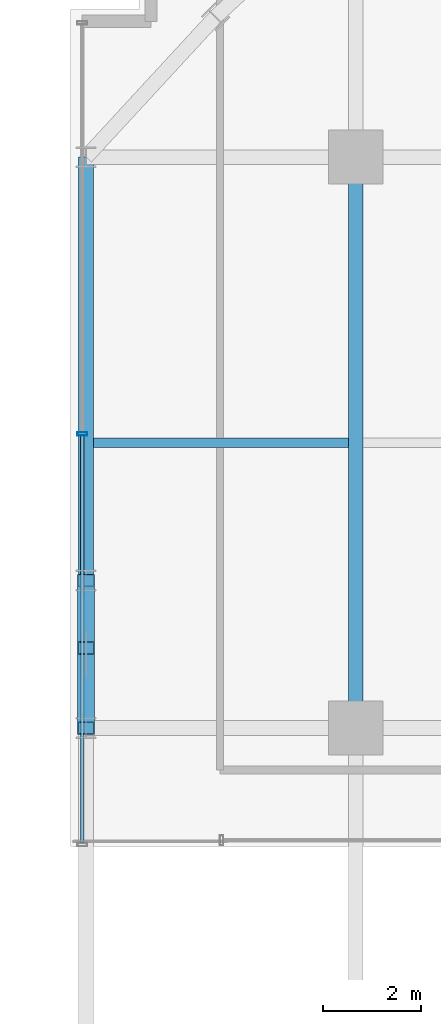
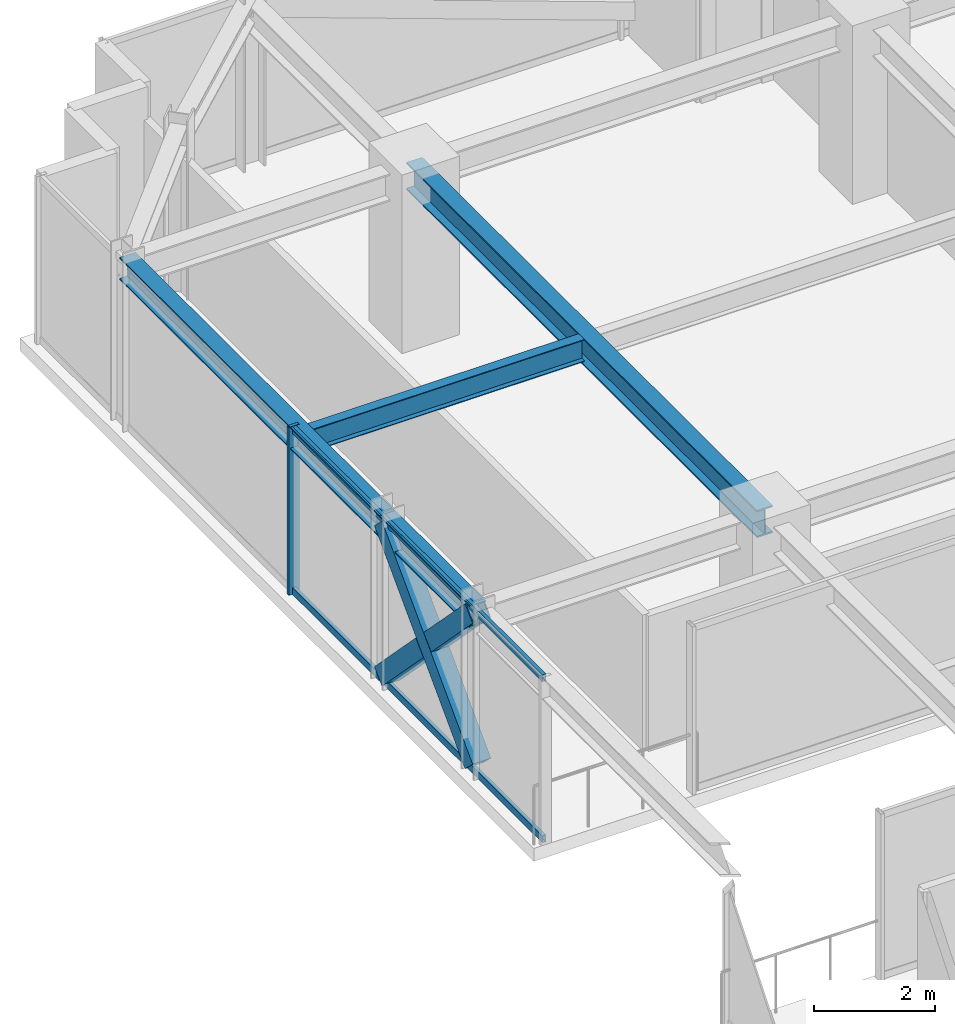
# One storey, part 19 of 35: 6 members, 4 beams, 1 element without a shape of its own.
"""IFC4 building model written with IfcOpenShell, lengths in metres."""

from ifc_helpers import new_model, si_unit, direction, frame, origin, origin_2d, place, context, subcontext, project, spatial, hollow_rectangle, i_section, extrude, source, transform, mapped, material, material_profile, profile_set, type_object, element, aggregate, save


model = new_model("IFC4")

# Units and contexts
model_context = context("Model", 3, precision=1e-05, world=origin(), true_north=direction((0.0, 1.0)))
body_context = subcontext(model_context, "Body", "Model", "MODEL_VIEW")
ifc_project = project(units=[si_unit("LENGTHUNIT", "METRE"), si_unit("AREAUNIT", "SQUARE_METRE"), si_unit("VOLUMEUNIT", "CUBIC_METRE"), si_unit("PLANEANGLEUNIT", "RADIAN"), si_unit("MASSUNIT", "GRAM", prefix="KILO")], contexts=[model_context])

# Site, building, storey
site_placement = place(None, origin())
site = spatial("IfcSite", under=ifc_project, at=site_placement, CompositionType="ELEMENT")
building_placement = place(site_placement, origin())
building = spatial("IfcBuilding", under=site, at=building_placement, Name="Nahalor Promenade Grand Hotel", CompositionType="ELEMENT")
storey_placement = place(building_placement, frame((0.0, 0.0, 185.5)))
storey = spatial("IfcBuildingStorey", under=building, at=storey_placement, Name="L47", CompositionType="ELEMENT", Elevation=185.5)

# Beams
ifc_material_1 = material(Name="Steel S355JR", Category="steel")
ifc_material_profile_1 = material_profile(ifc_material_1, i_section(OverallWidth=0.3, OverallDepth=0.55, WebThickness=0.015, FlangeThickness=0.029, at=origin_2d()), Name="HEB 550")
ifc_profile_set_1 = profile_set([ifc_material_profile_1], Name="Steel S355JR")
beam_type_1 = type_object("IfcBeamType", Name="Beam-Girder-HEB550", PredefinedType="BEAM", material=ifc_profile_set_1)
shared_shape_1 = source(origin(), body_context, "Body", "SweptSolid", [
    extrude(i_section(OverallWidth=0.3, OverallDepth=0.55, WebThickness=0.015, FlangeThickness=0.029, at=origin_2d()), origin(), (0.0, 0.0, 1.0), 11.60009765625),
])
beam_1_placement = place(storey_placement, frame((-17.0, 5.39990234375, 3.114990234375), z_axis=(0.0, 1.0, 0.0), x_axis=(-1.0, 0.0, 0.0)))
element("IfcBeam", 1, at=beam_1_placement, inside=storey, type_object=beam_type_1, Name="BM-L47-GY-0-3", PredefinedType="BEAM", context=body_context, shape_type="MappedRepresentation", body=[
    mapped(shared_shape_1, transform((0.0, 0.0, 0.0), scale=1.0)),
])
ifc_material_profile_2 = material_profile(ifc_material_1, i_section(OverallWidth=0.19, OverallDepth=0.45, WebThickness=0.0094, FlangeThickness=0.0146, at=origin_2d()), Name="IPE 450")
ifc_profile_set_2 = profile_set([ifc_material_profile_2], Name="Steel S355JR")
beam_type_2 = type_object("IfcBeamType", Name="Beam-Joist-IPE450", PredefinedType="JOIST", material=ifc_profile_set_2)
shared_shape_2 = source(origin(), body_context, "Body", "SweptSolid", [
    extrude(i_section(OverallWidth=0.19, OverallDepth=0.45, WebThickness=0.0094, FlangeThickness=0.0146, at=origin_2d()), origin(), (0.0, 0.0, 1.0), 5.18017578125),
])
beam_2_placement = place(storey_placement, frame((-22.330078125, 11.199951171875, 3.1650390625), z_axis=(1.0, 0.0, 0.0), x_axis=(0.0, 1.0, 0.0)))
element("IfcBeam", 2, at=beam_2_placement, inside=storey, type_object=beam_type_2, Name="BM-L47-JSW-1-0", PredefinedType="JOIST", context=body_context, shape_type="MappedRepresentation", body=[
    mapped(shared_shape_2, transform((0.0, 0.0, 0.0), scale=1.0)),
])
ifc_material_profile_3 = material_profile(ifc_material_1, i_section(OverallWidth=0.3, OverallDepth=0.45, WebThickness=0.014, FlangeThickness=0.026, at=origin_2d()), Name="HEB 450")
ifc_profile_set_3 = profile_set([ifc_material_profile_3], Name="Steel S355JR")
beam_type_3 = type_object("IfcBeamType", Name="Beam-Spandrel-HEB450", PredefinedType="SPANDREL", material=ifc_profile_set_3)
shared_shape_3 = source(origin(), body_context, "Body", "SweptSolid", [
    extrude(i_section(OverallWidth=0.3, OverallDepth=0.45, WebThickness=0.014, FlangeThickness=0.026, at=origin_2d()), origin(), (0.0, 0.0, 1.0), 8.60009765625),
])
beam_3_placement = place(storey_placement, frame((-22.47998046875, 8.39990234375, 3.1650390625), z_axis=(0.0, 1.0, 0.0), x_axis=(-1.0, 0.0, 0.0)))
element("IfcBeam", 3, at=beam_3_placement, inside=storey, type_object=beam_type_3, Name="BM-L47-SP-W-4", PredefinedType="SPANDREL", context=body_context, shape_type="MappedRepresentation", body=[
    mapped(shared_shape_3, transform((0.0, 0.0, 0.0), scale=1.0)),
])
shared_shape_4 = source(origin(), body_context, "Body", "SweptSolid", [
    extrude(i_section(OverallWidth=0.3, OverallDepth=0.45, WebThickness=0.014, FlangeThickness=0.026, at=origin_2d()), origin(), (0.0, 0.0, 1.0), 3.0),
])
beam_4_placement = place(storey_placement, frame((-22.47998046875, 5.39990234375, 3.1650390625), z_axis=(0.0, 1.0, 0.0), x_axis=(-1.0, 0.0, 0.0)))
element("IfcBeam", 4, at=beam_4_placement, inside=storey, type_object=beam_type_3, Name="BM-L47-SP-W-3", PredefinedType="SPANDREL", context=body_context, shape_type="MappedRepresentation", body=[
    mapped(shared_shape_4, transform((0.0, 0.0, 0.0), scale=1.0)),
])

# Members
ifc_material_profile_4 = material_profile(ifc_material_1, hollow_rectangle(XDim=0.35, YDim=0.35, WallThickness=0.02, at=origin_2d()), Name="SHS 350x350x20")
ifc_profile_set_4 = profile_set([ifc_material_profile_4], Name="Steel S355JR")
member_type_1 = type_object("IfcMemberType", Name="Mem-VoidBrace-SHS350", PredefinedType="BRACE", material=ifc_profile_set_4)
shared_shape_5 = source(origin(), body_context, "Body", "SweptSolid", [
    extrude(hollow_rectangle(XDim=0.35, YDim=0.35, WallThickness=0.02, at=origin_2d()), origin(), (0.0, 0.0, 1.0), 1.96630859375),
])
member_1_placement = place(storey_placement, frame((-22.47998046875, 8.39990234375, 0.14990234375), z_axis=(0.0, -0.696537426897, 0.717520461682), x_axis=(1.0, 0.0, 0.0)))
element("IfcMember", 5, at=member_1_placement, inside=storey, type_object=member_type_1, Name="EXO-L47-VX2-W1A", PredefinedType="BRACE", context=body_context, shape_type="MappedRepresentation", body=[
    mapped(shared_shape_5, transform((0.0, 0.0, 0.0), scale=1.0)),
])
shared_shape_6 = source(origin(), body_context, "Body", "SweptSolid", [
    extrude(hollow_rectangle(XDim=0.35, YDim=0.35, WallThickness=0.02, at=origin_2d()), origin(), (0.0, 0.0, 1.0), 4.306884765625),
])
member_2_placement = place(storey_placement, frame((-22.47998046875, 5.39990234375, 0.14990234375), z_axis=(0.0, 0.696570665899, 0.717488193219), x_axis=(-1.0, 0.0, 0.0)))
element("IfcMember", 6, at=member_2_placement, inside=storey, type_object=member_type_1, Name="EXO-L47-VX1-W1", PredefinedType="BRACE", context=body_context, shape_type="MappedRepresentation", body=[
    mapped(shared_shape_6, transform((0.0, 0.0, 0.0), scale=1.0)),
])
shared_shape_7 = source(origin(), body_context, "Body", "SweptSolid", [
    extrude(hollow_rectangle(XDim=0.35, YDim=0.35, WallThickness=0.02, at=origin_2d()), origin(), (0.0, 0.0, 1.0), 1.966552734375),
])
member_3_placement = place(storey_placement, frame((-22.47998046875, 6.769775390625, 1.8291015625), z_axis=(0.0, -0.696601340579, 0.71745841155), x_axis=(1.0, 0.0, 0.0)))
element("IfcMember", 7, at=member_3_placement, inside=storey, type_object=member_type_1, Name="EXO-L47-VX2-W1B", PredefinedType="BRACE", context=body_context, shape_type="MappedRepresentation", body=[
    mapped(shared_shape_7, transform((0.0, 0.0, 0.0), scale=1.0)),
])

# Curtain wall, members
ifc_material_2 = material(Name="Anodised Bronze Aluminium EN AW-6063 T6", Category="aluminium")
curtain_wall_type = type_object("IfcCurtainWallType", Name="CW3 Elliptical-Void Collar Unitised Curtain Wall", PredefinedType="USERDEFINED", material=ifc_material_2)
curtain_wall_placement = place(storey_placement, origin())
curtain_wall = element("IfcCurtainWall", 8, at=curtain_wall_placement, inside=storey, type_object=curtain_wall_type, Name="L47 Curtain Wall CW-L47-W-4", ObjectType="UNITISED_CURTAIN_WALL", PredefinedType="USERDEFINED")
ifc_material_profile_5 = material_profile(ifc_material_2, hollow_rectangle(XDim=0.07, YDim=0.14, WallThickness=0.004, at=origin_2d()), Name="CWT 70x140x4")
ifc_profile_set_5 = profile_set([ifc_material_profile_5], Name="Anodised Bronze Aluminium EN AW-6063 T6")
member_type_2 = type_object("IfcMemberType", Name="CWT3 Void Collar Transom 70x140", PredefinedType="USERDEFINED", material=ifc_profile_set_5)
shared_shape_8 = source(origin(), body_context, "Body", "SweptSolid", [
    extrude(hollow_rectangle(XDim=0.07, YDim=0.14, WallThickness=0.004, at=origin_2d()), origin(), (0.0, 0.0, 1.0), 8.275390625),
])
member_4_placement = place(storey_placement, frame((-22.56005859375, 3.069091796875, 0.070068359375), z_axis=(0.0, 1.0, 0.0), x_axis=(-1.0, 0.0, 0.0)))
member_4 = element("IfcMember", 9, at=member_4_placement, type_object=member_type_2, Name="CW-L47-W-4 Transom 0-0", ObjectType="TRANSOM", PredefinedType="USERDEFINED", context=body_context, shape_type="MappedRepresentation", body=[
    mapped(shared_shape_8, transform((0.0, 0.0, 0.0), scale=1.0)),
])
member_5_placement = place(storey_placement, frame((-22.56005859375, 3.069091796875, 3.320068359375), z_axis=(0.0, 1.0, 0.0), x_axis=(-1.0, 0.0, 0.0)))
member_5 = element("IfcMember", 10, at=member_5_placement, type_object=member_type_2, Name="CW-L47-W-4 Transom 0-1", ObjectType="TRANSOM", PredefinedType="USERDEFINED", context=body_context, shape_type="MappedRepresentation", body=[
    mapped(shared_shape_8, transform((0.0, 0.0, 0.0), scale=1.0)),
])
ifc_material_profile_6 = material_profile(ifc_material_2, hollow_rectangle(XDim=0.07, YDim=0.2, WallThickness=0.005, at=origin_2d()), Name="CWM 70x200x5")
ifc_profile_set_6 = profile_set([ifc_material_profile_6], Name="Anodised Bronze Aluminium EN AW-6063 T6")
member_type_3 = type_object("IfcMemberType", Name="CWM3 Void Collar Mullion 70x200", PredefinedType="MULLION", material=ifc_profile_set_6)
shared_shape_9 = source(origin(), body_context, "Body", "SweptSolid", [
    extrude(hollow_rectangle(XDim=0.07, YDim=0.2, WallThickness=0.005, at=origin_2d()), origin(), (0.0, 0.0, 1.0), 3.389892578125),
])
member_6_placement = place(storey_placement, frame((-22.56005859375, 11.37939453125, 0.0), z_axis=(0.0, 0.0, 1.0), x_axis=(0.0, 1.0, 0.0)))
member_6 = element("IfcMember", 11, at=member_6_placement, type_object=member_type_3, Name="CW-L47-W-4 Mullion 1", PredefinedType="MULLION", context=body_context, shape_type="MappedRepresentation", body=[
    mapped(shared_shape_9, transform((0.0, 0.0, 0.0), scale=1.0)),
])
aggregate(curtain_wall, [member_6, member_4, member_5])

save(model, "model.ifc")
